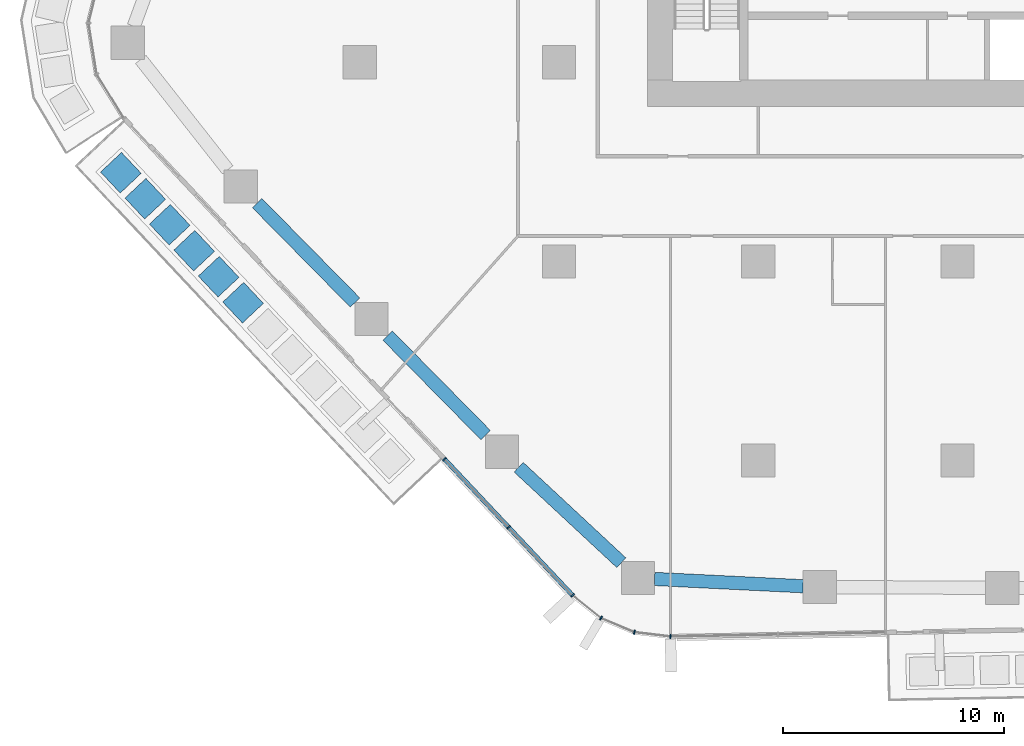
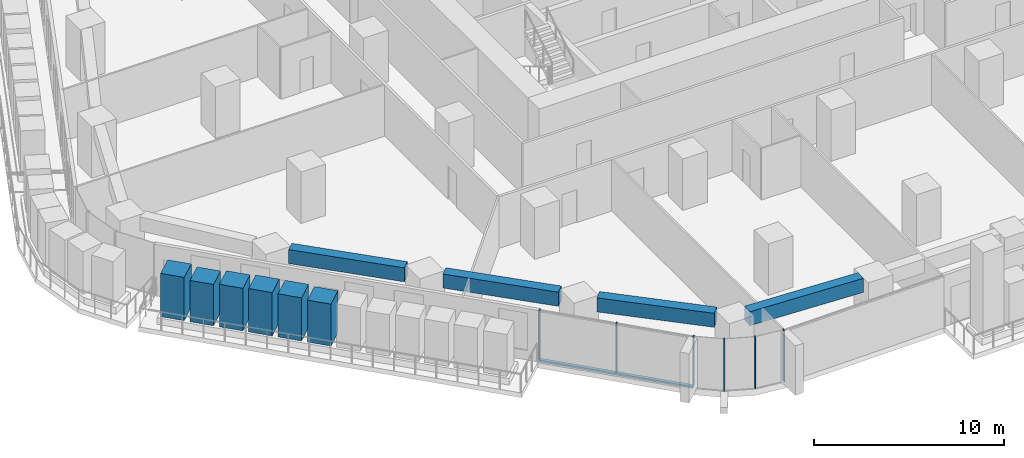
# One storey, part 2 of 25: 13 members, 4 beams, 2 elements without a shape of their own.
"""IFC4 building model written with IfcOpenShell, lengths in metres."""

from ifc_helpers import new_model, si_unit, direction, frame, origin, origin_2d, place, context, subcontext, project, spatial, rectangle, extrude, material, layer, layer_set, material_profile, profile_set, type_object, element, aggregate, save


model = new_model("IFC4")

# Units and contexts
model_context = context("Model", 3, precision=1e-05, world=origin(), true_north=direction((0.0, 1.0)))
body_context = subcontext(model_context, "Body", "Model", "MODEL_VIEW")
ifc_project = project(units=[si_unit("LENGTHUNIT", "METRE"), si_unit("AREAUNIT", "SQUARE_METRE"), si_unit("VOLUMEUNIT", "CUBIC_METRE"), si_unit("PLANEANGLEUNIT", "RADIAN"), si_unit("MASSUNIT", "GRAM", prefix="KILO")], contexts=[model_context])

# Site, building, storey
site_placement = place(None, origin())
site = spatial("IfcSite", under=ifc_project, at=site_placement, CompositionType="ELEMENT")
building_placement = place(site_placement, origin())
building = spatial("IfcBuilding", under=site, at=building_placement, Name="Dongbaek Canopy Tower", CompositionType="ELEMENT")
storey_placement = place(building_placement, frame((0.0, 0.0, 81.0)))
storey = spatial("IfcBuildingStorey", under=building, at=storey_placement, Name="L16", CompositionType="ELEMENT", Elevation=81.0)

# Curtain wall, members
ifc_material_1 = material(Name="Aluminium 6063-T6 pale anodised", Category="aluminium")
ifc_layer = layer(ifc_material_1, 0.199951171875)
ifc_layer_set = layer_set([ifc_layer], Name="CW-1 unitised tower curtain wall")
curtain_wall_type = type_object("IfcCurtainWallType", Name="CW-1 unitised tower curtain wall", PredefinedType="NOTDEFINED", material=ifc_layer_set)
curtain_wall_1_placement = place(storey_placement, origin())
curtain_wall_1 = element("IfcCurtainWall", 1, at=curtain_wall_1_placement, inside=storey, type_object=curtain_wall_type, Name="CW-1 curtain wall F3.1", PredefinedType="NOTDEFINED")
ifc_material_2 = material(Name="Aluminium 6063-T6 pale anodised", Category="aluminium")
ifc_material_profile_1 = material_profile(ifc_material_2, rectangle(XDim=0.199951171875, YDim=0.06005859375, at=origin_2d()), Name="CW-1 mullion 60 x 200")
ifc_profile_set_1 = profile_set([ifc_material_profile_1], Name="Aluminium 6063-T6 pale anodised")
member_type_1 = type_object("IfcMemberType", Name="CW-1 mullion 60 x 200", PredefinedType="MULLION", material=ifc_profile_set_1)
member_1_placement = place(storey_placement, frame((-23.175537109375, -26.934326171875, 0.1201171875), z_axis=(0.0, 0.0, 1.0), x_axis=(-0.728584719372, -0.684955696886, 0.0)))
member_1 = element("IfcMember", 2, at=member_1_placement, type_object=member_type_1, Name="CW-1 mullion F3.1.1", PredefinedType="MULLION", context=body_context, shape_type="SweptSolid", body=[
    extrude(rectangle(XDim=0.199951171875, YDim=0.06005859375, at=origin_2d()), origin(), (0.0, 0.0, 1.0), 3.179931640625),
])
member_2_placement = place(storey_placement, frame((-20.2783203125, -30.016357421875, 0.1201171875), z_axis=(0.0, 0.0, 1.0), x_axis=(-0.728584719372, -0.684955696886, 0.0)))
member_2 = element("IfcMember", 3, at=member_2_placement, type_object=member_type_1, Name="CW-1 mullion F3.1.2", PredefinedType="MULLION", context=body_context, shape_type="SweptSolid", body=[
    extrude(rectangle(XDim=0.199951171875, YDim=0.06005859375, at=origin_2d()), origin(), (0.0, 0.0, 1.0), 3.179931640625),
])
member_3_placement = place(storey_placement, frame((-17.3857421875, -33.093017578125, 0.1201171875), z_axis=(0.0, 0.0, 1.0), x_axis=(-0.728584719372, -0.684955696886, 0.0)))
member_3 = element("IfcMember", 4, at=member_3_placement, type_object=member_type_1, Name="CW-1 mullion F3.1.3", PredefinedType="MULLION", context=body_context, shape_type="SweptSolid", body=[
    extrude(rectangle(XDim=0.199951171875, YDim=0.06005859375, at=origin_2d()), origin(), (0.0, 0.0, 1.0), 3.179931640625),
])

curtain_wall_2_placement = place(storey_placement, origin())
curtain_wall_2 = element("IfcCurtainWall", 5, at=curtain_wall_2_placement, inside=storey, type_object=curtain_wall_type, Name="CW-1 curtain wall K4.1", PredefinedType="NOTDEFINED")
member_4_placement = place(storey_placement, frame((-16.104248046875, -34.123046875, 0.0), z_axis=(0.0, 0.0, 1.0), x_axis=(-0.512291878436, -0.858811406124, 0.0)))
member_4 = element("IfcMember", 6, at=member_4_placement, type_object=member_type_1, Name="CW-1 mullion K4.1.2", PredefinedType="MULLION", context=body_context, shape_type="SweptSolid", body=[
    extrude(rectangle(XDim=0.199951171875, YDim=0.06005859375, at=origin_2d()), origin(), (0.0, 0.0, 1.0), 3.300048828125),
])
member_5_placement = place(storey_placement, frame((-14.595703125, -34.758544921875, 0.0), z_axis=(0.0, 0.0, 1.0), x_axis=(-0.256548259262, -0.966531422495, 0.0)))
member_5 = element("IfcMember", 7, at=member_5_placement, type_object=member_type_1, Name="CW-1 mullion K4.1.3", PredefinedType="MULLION", context=body_context, shape_type="SweptSolid", body=[
    extrude(rectangle(XDim=0.199951171875, YDim=0.06005859375, at=origin_2d()), origin(), (0.0, 0.0, 1.0), 3.300048828125),
])
member_6_placement = place(storey_placement, frame((-12.963623046875, -34.955810546875, 0.0), z_axis=(0.0, 0.0, 1.0), x_axis=(-0.119958603523, -0.992778894538, 0.0)))
member_6 = element("IfcMember", 8, at=member_6_placement, type_object=member_type_1, Name="CW-1 mullion K4.1.4", PredefinedType="MULLION", context=body_context, shape_type="SweptSolid", body=[
    extrude(rectangle(XDim=0.199951171875, YDim=0.06005859375, at=origin_2d()), origin(), (0.0, 0.0, 1.0), 3.300048828125),
])
aggregate(curtain_wall_2, [member_4, member_5, member_6])

# Member
ifc_material_3 = material(Name="Aluminium 6063-T6 pale anodised", Category="aluminium")
ifc_material_profile_2 = material_profile(ifc_material_3, rectangle(XDim=0.199951171875, YDim=0.1201171875, at=origin_2d()), Name="CW-1 transom 120 x 200")
ifc_profile_set_2 = profile_set([ifc_material_profile_2], Name="Aluminium 6063-T6 pale anodised")
member_type_2 = type_object("IfcMemberType", Name="CW-1 transom 120 x 200", PredefinedType="USERDEFINED", material=ifc_profile_set_2)
member_7_placement = place(storey_placement, frame((-23.175537109375, -26.934326171875, 0.06005859375), z_axis=(0.684949262012, -0.72859076886, 0.0), x_axis=(0.72859076886, 0.684949262012, 0.0)))
member_7 = element("IfcMember", 9, at=member_7_placement, type_object=member_type_2, Name="CW-1 transom F3.1.1", ObjectType="TRANSOM", PredefinedType="USERDEFINED", context=body_context, shape_type="SweptSolid", body=[
    extrude(rectangle(XDim=0.199951171875, YDim=0.1201171875, at=origin_2d()), origin(), (0.0, 0.0, 1.0), 8.452880859375),
])

aggregate(curtain_wall_1, [member_1, member_2, member_3, member_7])

# Beams
ifc_material_4 = material(Name="Concrete C80", Category="concrete")
ifc_material_profile_3 = material_profile(ifc_material_4, rectangle(XDim=0.60009765625, YDim=0.89990234375, at=origin_2d()), Name="RC EDGE BEAM 600x900 C80")
ifc_profile_set_3 = profile_set([ifc_material_profile_3], Name="Concrete C80")
beam_type = type_object("IfcBeamType", Name="RC EDGE BEAM 600x900 C80", PredefinedType="BEAM", material=ifc_profile_set_3)
beam_1_placement = place(storey_placement, frame((-6.971923828125, -32.68017578125, 2.85009765625), z_axis=(-0.998791258722, 0.049153041612, 0.0), x_axis=(-0.049153041612, -0.998791258722, 0.0)))
element("IfcBeam", 10, at=beam_1_placement, inside=storey, type_object=beam_type, Name="EDGEBEAM:L16:03", PredefinedType="BEAM", context=body_context, shape_type="SweptSolid", body=[
    extrude(rectangle(XDim=0.60009765625, YDim=0.89990234375, at=origin_2d()), origin(), (0.0, 0.0, 1.0), 6.72021484375),
])
beam_2_placement = place(storey_placement, frame((-15.18408203125, -31.615478515625, 2.85009765625), z_axis=(-0.732207291567, 0.681081846899, 0.0), x_axis=(-0.681081846899, -0.732207291567, 0.0)))
element("IfcBeam", 11, at=beam_2_placement, inside=storey, type_object=beam_type, Name="EDGEBEAM:L16:04", PredefinedType="BEAM", context=body_context, shape_type="SweptSolid", body=[
    extrude(rectangle(XDim=0.60009765625, YDim=0.89990234375, at=origin_2d()), origin(), (0.0, 0.0, 1.0), 6.3369140625),
])
beam_3_placement = place(storey_placement, frame((-21.312744140625, -25.85205078125, 2.85009765625), z_axis=(-0.701726082417, 0.712446843811, 0.0), x_axis=(-0.712446843811, -0.701726082417, 0.0)))
element("IfcBeam", 12, at=beam_3_placement, inside=storey, type_object=beam_type, Name="EDGEBEAM:L16:05", PredefinedType="BEAM", context=body_context, shape_type="SweptSolid", body=[
    extrude(rectangle(XDim=0.60009765625, YDim=0.89990234375, at=origin_2d()), origin(), (0.0, 0.0, 1.0), 6.30810546875),
])
beam_4_placement = place(storey_placement, frame((-27.216552734375, -19.85791015625, 2.85009765625), z_axis=(-0.701687682569, 0.712484663787, 0.0), x_axis=(-0.712484663787, -0.701687682569, 0.0)))
element("IfcBeam", 13, at=beam_4_placement, inside=storey, type_object=beam_type, Name="EDGEBEAM:L16:06", PredefinedType="BEAM", context=body_context, shape_type="SweptSolid", body=[
    extrude(rectangle(XDim=0.60009765625, YDim=0.89990234375, at=origin_2d()), origin(), (0.0, 0.0, 1.0), 6.308837890625),
])

# Members
ifc_material_5 = material(Name="Concrete C40/50 planter mass with planting", Category="concrete")
ifc_material_profile_4 = material_profile(ifc_material_5, rectangle(XDim=1.300048828125, YDim=1.300048828125, at=origin_2d()), Name="Terrace PLANTER shrub mass 1300 x 1300")
ifc_profile_set_4 = profile_set([ifc_material_profile_4], Name="Concrete C40/50 planter mass with planting")
member_type_3 = type_object("IfcMemberType", Name="Terrace PLANTER shrub mass 1300 x 1300", PredefinedType="USERDEFINED", material=ifc_profile_set_4)
member_8_placement = place(storey_placement, frame((-37.7978515625, -13.994140625, 0.419921875), z_axis=(0.0, 0.0, 1.0), x_axis=(-0.728584719372, -0.684955696886, 0.0)))
element("IfcMember", 14, at=member_8_placement, inside=storey, type_object=member_type_3, Name="Planter shrubs L16 3.1", ObjectType="PLANTER", PredefinedType="USERDEFINED", context=body_context, shape_type="SweptSolid", body=[
    extrude(rectangle(XDim=1.300048828125, YDim=1.300048828125, at=origin_2d()), origin(), (0.0, 0.0, 1.0), 2.780029296875),
])
member_9_placement = place(storey_placement, frame((-36.693359375, -15.1689453125, 0.419921875), z_axis=(0.0, 0.0, 1.0), x_axis=(-0.728584719372, -0.684955696886, 0.0)))
element("IfcMember", 15, at=member_9_placement, inside=storey, type_object=member_type_3, Name="Planter shrubs L16 3.2", ObjectType="PLANTER", PredefinedType="USERDEFINED", context=body_context, shape_type="SweptSolid", body=[
    extrude(rectangle(XDim=1.300048828125, YDim=1.300048828125, at=origin_2d()), origin(), (0.0, 0.0, 1.0), 2.650146484375),
])
member_10_placement = place(storey_placement, frame((-35.5888671875, -16.34375, 0.419921875), z_axis=(0.0, 0.0, 1.0), x_axis=(-0.728584719372, -0.684955696886, 0.0)))
element("IfcMember", 16, at=member_10_placement, inside=storey, type_object=member_type_3, Name="Planter shrubs L16 3.3", ObjectType="PLANTER", PredefinedType="USERDEFINED", context=body_context, shape_type="SweptSolid", body=[
    extrude(rectangle(XDim=1.300048828125, YDim=1.300048828125, at=origin_2d()), origin(), (0.0, 0.0, 1.0), 2.72998046875),
])
member_11_placement = place(storey_placement, frame((-34.484375, -17.5185546875, 0.419921875), z_axis=(0.0, 0.0, 1.0), x_axis=(-0.728584719372, -0.684955696886, 0.0)))
element("IfcMember", 17, at=member_11_placement, inside=storey, type_object=member_type_3, Name="Planter shrubs L16 3.4", ObjectType="PLANTER", PredefinedType="USERDEFINED", context=body_context, shape_type="SweptSolid", body=[
    extrude(rectangle(XDim=1.300048828125, YDim=1.300048828125, at=origin_2d()), origin(), (0.0, 0.0, 1.0), 2.780029296875),
])
member_12_placement = place(storey_placement, frame((-33.3798828125, -18.693359375, 0.419921875), z_axis=(0.0, 0.0, 1.0), x_axis=(-0.728584719372, -0.684955696886, 0.0)))
element("IfcMember", 18, at=member_12_placement, inside=storey, type_object=member_type_3, Name="Planter shrubs L16 3.5", ObjectType="PLANTER", PredefinedType="USERDEFINED", context=body_context, shape_type="SweptSolid", body=[
    extrude(rectangle(XDim=1.300048828125, YDim=1.300048828125, at=origin_2d()), origin(), (0.0, 0.0, 1.0), 2.77001953125),
])
member_13_placement = place(storey_placement, frame((-32.275390625, -19.8681640625, 0.419921875), z_axis=(0.0, 0.0, 1.0), x_axis=(-0.728584719372, -0.684955696886, 0.0)))
element("IfcMember", 19, at=member_13_placement, inside=storey, type_object=member_type_3, Name="Planter shrubs L16 3.6", ObjectType="PLANTER", PredefinedType="USERDEFINED", context=body_context, shape_type="SweptSolid", body=[
    extrude(rectangle(XDim=1.300048828125, YDim=1.300048828125, at=origin_2d()), origin(), (0.0, 0.0, 1.0), 2.690185546875),
])

save(model, "model.ifc")
